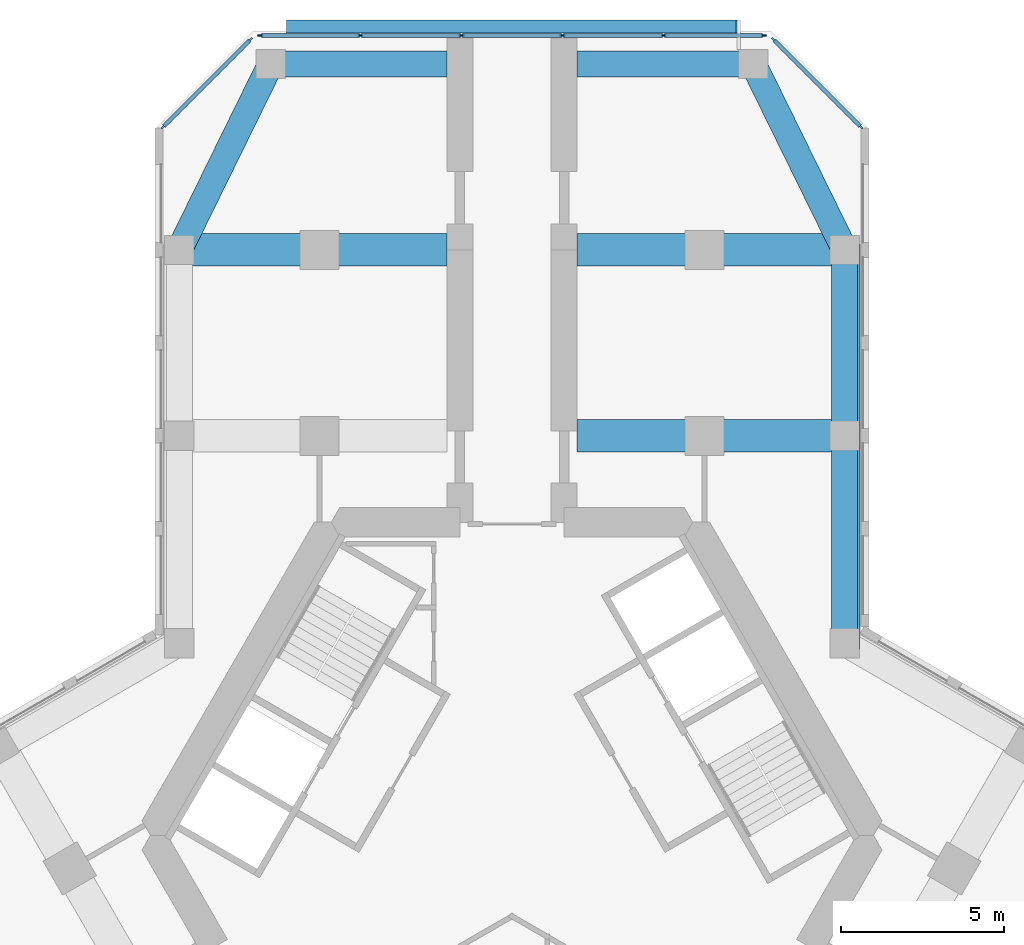
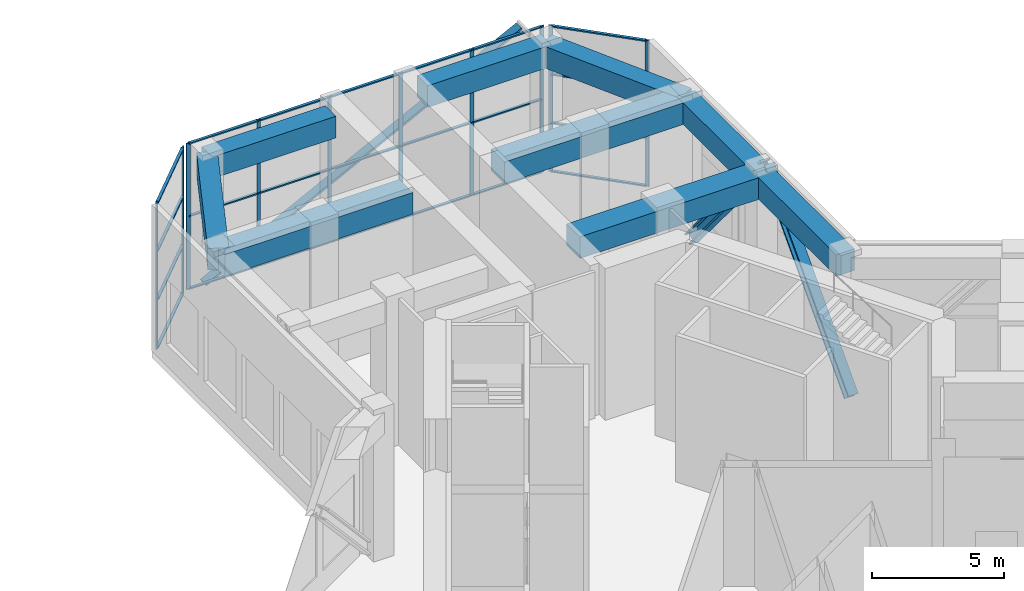
# One storey, part 7 of 15: 36 members, 9 beams, 3 elements without a shape of their own.
"""IFC4 building model written with IfcOpenShell, lengths in metres."""

from ifc_helpers import new_model, si_unit, direction, frame, origin, origin_2d, place, context, subcontext, project, spatial, rectangle, i_section, extrude, material, material_profile, profile_set, type_object, element, aggregate, save


model = new_model("IFC4")

# Units and contexts
model_context = context("Model", 3, precision=1e-05, world=origin(), true_north=direction((0.0, 1.0)))
body_context = subcontext(model_context, "Body", "Model", "MODEL_VIEW")
ifc_project = project(units=[si_unit("LENGTHUNIT", "METRE"), si_unit("AREAUNIT", "SQUARE_METRE"), si_unit("VOLUMEUNIT", "CUBIC_METRE"), si_unit("PLANEANGLEUNIT", "RADIAN"), si_unit("MASSUNIT", "GRAM", prefix="KILO")], contexts=[model_context])

# Site, building, storey
site_placement = place(None, origin())
site = spatial("IfcSite", under=ifc_project, at=site_placement, CompositionType="ELEMENT")
building_placement = place(site_placement, origin())
building = spatial("IfcBuilding", under=site, at=building_placement, Name="Kosmar Iwan School Tower", CompositionType="ELEMENT")
storey_placement = place(building_placement, frame((0.0, 0.0, 186.800048828125)))
storey = spatial("IfcBuildingStorey", under=building, at=storey_placement, Name="L47", CompositionType="ELEMENT", Elevation=186.800048828125)

# Members
ifc_material_1 = material(Name="Steel S355", Category="steel")
ifc_material_profile_1 = material_profile(ifc_material_1, i_section(OverallWidth=0.424072265625, OverallDepth=0.47412109375, WebThickness=0.047607421875, FlangeThickness=0.0771484375, FilletRadius=0.014892578125, at=origin_2d()), Name="HD 400x634")
ifc_profile_set_1 = profile_set([ifc_material_profile_1], Name="Steel S355")
member_type_1 = type_object("IfcMemberType", Name="Belt truss diagonal HD 400x634", PredefinedType="BRACE", material=ifc_profile_set_1)
member_1_placement = place(storey_placement, frame((10.4580078125, 5.888916015625, 0.0), z_axis=(0.0, 0.681901320807, 0.731444180154), x_axis=(-1.0, 0.0, 0.0)))
element("IfcMember", 1, at=member_1_placement, inside=storey, type_object=member_type_1, Name="Belt truss diagonal AR1", PredefinedType="BRACE", context=body_context, shape_type="SweptSolid", body=[
    extrude(i_section(OverallWidth=0.424072265625, OverallDepth=0.47412109375, WebThickness=0.047607421875, FlangeThickness=0.0771484375, FilletRadius=0.014892578125, at=origin_2d()), origin(), (0.0, 0.0, 1.0), 9.328369140625),
])
member_2_placement = place(storey_placement, frame((10.4580078125, 12.25, 6.8232421875), z_axis=(0.0, 0.641107671888, -0.767450945043), x_axis=(-1.0, 0.0, 0.0)))
element("IfcMember", 2, at=member_2_placement, inside=storey, type_object=member_type_1, Name="Belt truss diagonal AR2", PredefinedType="BRACE", context=body_context, shape_type="SweptSolid", body=[
    extrude(i_section(OverallWidth=0.424072265625, OverallDepth=0.47412109375, WebThickness=0.047607421875, FlangeThickness=0.0771484375, FilletRadius=0.014892578125, at=origin_2d()), origin(), (0.0, 0.0, 1.0), 8.890869140625),
])

# Beams
ifc_material_2 = material(Name="Concrete C50/60", Category="concrete")
ifc_material_profile_2 = material_profile(ifc_material_2, rectangle(XDim=0.800048828125, YDim=1.0, at=origin_2d()), Name="RC 800x1000 + HD 400x634")
ifc_profile_set_2 = profile_set([ifc_material_profile_2], Name="Concrete C50/60")
beam_type_1 = type_object("IfcBeamType", Name="Composite edge beam 800x1000 HD 400x634", PredefinedType="BEAM", material=ifc_profile_set_2)
beam_1_placement = place(storey_placement, frame((10.199951171875, 5.888916015625, 6.25), z_axis=(0.0, 1.0, 0.0), x_axis=(-1.0, 0.0, 0.0)))
element("IfcBeam", 3, at=beam_1_placement, inside=storey, type_object=beam_type_1, Name="Edge beam AR1", PredefinedType="BEAM", context=body_context, shape_type="SweptSolid", body=[
    extrude(rectangle(XDim=0.800048828125, YDim=1.0, at=origin_2d()), origin(), (0.0, 0.0, 1.0), 6.361083984375),
])
beam_2_placement = place(storey_placement, frame((10.199951171875, 12.25, 6.25), z_axis=(0.0, 1.0, 0.0), x_axis=(-1.0, 0.0, 0.0)))
element("IfcBeam", 4, at=beam_2_placement, inside=storey, type_object=beam_type_1, Name="Edge beam AR2", PredefinedType="BEAM", context=body_context, shape_type="SweptSolid", body=[
    extrude(rectangle(XDim=0.800048828125, YDim=1.0, at=origin_2d()), origin(), (0.0, 0.0, 1.0), 5.699951171875),
])
ifc_material_3 = material(Name="Concrete C50/60", Category="concrete")
ifc_material_profile_3 = material_profile(ifc_material_3, rectangle(XDim=1.0, YDim=1.0, at=origin_2d()), Name="RC 1000x1000 + HD 400x347")
ifc_profile_set_3 = profile_set([ifc_material_profile_3], Name="Concrete C50/60")
beam_type_2 = type_object("IfcBeamType", Name="Composite transverse beam 1000x1000 HD 400x347", PredefinedType="BEAM", material=ifc_profile_set_3)
for number, where, z_axis, x_axis, name in (
    (5, (-10.199951171875, 17.949951171875, 6.25), (1.0, 0.0, 0.0), (0.0, 1.0, 0.0), "Transverse beam AL2"),
    (6, (10.199951171875, 12.25, 6.25), (-1.0, 0.0, 0.0), (0.0, -1.0, 0.0), "Transverse beam AR1"),
    (7, (10.199951171875, 17.949951171875, 6.25), (-1.0, 0.0, 0.0), (0.0, -1.0, 0.0), "Transverse beam AR2"),
):
    element("IfcBeam", number, at=place(storey_placement, frame(where, z_axis=z_axis, x_axis=x_axis)), inside=storey, type_object=beam_type_2, Name=name, PredefinedType="BEAM", context=body_context, shape_type="SweptSolid", body=[
        extrude(rectangle(XDim=1.0, YDim=1.0, at=origin_2d()), origin(), (0.0, 0.0, 1.0), 8.199951171875),
    ])

# Member
ifc_material_4 = material(Name="Black anodised aluminium", Category="aluminium")
ifc_material_profile_4 = material_profile(ifc_material_4, rectangle(XDim=0.10009765625, YDim=0.39990234375, at=origin_2d()), Name="FIN 100x400")
ifc_profile_set_4 = profile_set([ifc_material_profile_4], Name="Black anodised aluminium")
member_type_2 = type_object("IfcMemberType", Name="Diagonal fin 100x400", PredefinedType="USERDEFINED", material=ifc_profile_set_4)
member_3_placement = place(storey_placement, frame((-6.898193359375, 24.800048828125, -0.150146484375), z_axis=(0.891779441227, 0.0, 0.452470361686), x_axis=(-0.452470361686, 0.0, 0.891779441227)))
element("IfcMember", 8, at=member_3_placement, inside=storey, type_object=member_type_2, Name="Diagonal fin L47-F08", ObjectType="FIN", PredefinedType="USERDEFINED", context=body_context, shape_type="SweptSolid", body=[
    extrude(rectangle(XDim=0.10009765625, YDim=0.39990234375, at=origin_2d()), origin(), (0.0, 0.0, 1.0), 15.470703125),
])

# Curtain wall, members
ifc_material_5 = material(Name="Dark glass in black aluminium frame", Category="aluminium")
curtain_wall_type_1 = type_object("IfcCurtainWallType", Name="Chamfer curtain wall dark glass", PredefinedType="USERDEFINED", material=ifc_material_5)
curtain_wall_1_placement = place(storey_placement, origin())
curtain_wall_1 = element("IfcCurtainWall", 9, at=curtain_wall_1_placement, inside=storey, type_object=curtain_wall_type_1, Name="Curtain wall L47-F07", ObjectType="FACETED CURTAIN WALL", PredefinedType="USERDEFINED")
ifc_material_6 = material(Name="Black anodised aluminium", Category="aluminium")
ifc_material_profile_5 = material_profile(ifc_material_6, rectangle(XDim=0.06005859375, YDim=0.159912109375, at=origin_2d()), Name="MULLION 60x160")
ifc_profile_set_5 = profile_set([ifc_material_profile_5], Name="Black anodised aluminium")
member_type_3 = type_object("IfcMemberType", Name="Mullion 60x160", PredefinedType="MULLION", material=ifc_profile_set_5)
member_4_placement = place(storey_placement, frame((10.69775390625, 21.7255859375, 0.0), z_axis=(0.0, 0.0, 1.0), x_axis=(-0.707106781187, -0.707106781187, 0.0)))
member_4 = element("IfcMember", 10, at=member_4_placement, type_object=member_type_3, Name="CW2 mullion 1", PredefinedType="MULLION", context=body_context, shape_type="SweptSolid", body=[
    extrude(rectangle(XDim=0.06005859375, YDim=0.159912109375, at=origin_2d()), origin(), (0.0, 0.0, 1.0), 6.75),
])
member_5_placement = place(storey_placement, frame((8.025390625, 24.397705078125, 0.0), z_axis=(0.0, 0.0, 1.0), x_axis=(-0.707106781187, -0.707106781187, 0.0)))
member_5 = element("IfcMember", 11, at=member_5_placement, type_object=member_type_3, Name="CW2 mullion 2", PredefinedType="MULLION", context=body_context, shape_type="SweptSolid", body=[
    extrude(rectangle(XDim=0.06005859375, YDim=0.159912109375, at=origin_2d()), origin(), (0.0, 0.0, 1.0), 6.75),
])

ifc_material_7 = material(Name="Black aluminium louvres and glass", Category="aluminium")
curtain_wall_type_2 = type_object("IfcCurtainWallType", Name="Plant floor louvred curtain wall", PredefinedType="USERDEFINED", material=ifc_material_7)
curtain_wall_2_placement = place(storey_placement, origin())
curtain_wall_2 = element("IfcCurtainWall", 12, at=curtain_wall_2_placement, inside=storey, type_object=curtain_wall_type_2, Name="Curtain wall L47-F08", ObjectType="LOUVRED CURTAIN WALL", PredefinedType="USERDEFINED")
member_6_placement = place(storey_placement, frame((7.71826171875, 24.52490234375, 0.0), z_axis=(0.0, 0.0, 1.0), x_axis=(0.0, -1.0, 0.0)))
member_6 = element("IfcMember", 13, at=member_6_placement, type_object=member_type_3, Name="CW4 mullion 1", PredefinedType="MULLION", context=body_context, shape_type="SweptSolid", body=[
    extrude(rectangle(XDim=0.06005859375, YDim=0.159912109375, at=origin_2d()), origin(), (0.0, 0.0, 1.0), 6.75),
])
member_7_placement = place(storey_placement, frame((4.64892578125, 24.52490234375, 0.0), z_axis=(0.0, 0.0, 1.0), x_axis=(0.0, -1.0, 0.0)))
member_7 = element("IfcMember", 14, at=member_7_placement, type_object=member_type_3, Name="CW4 mullion 2", PredefinedType="MULLION", context=body_context, shape_type="SweptSolid", body=[
    extrude(rectangle(XDim=0.06005859375, YDim=0.159912109375, at=origin_2d()), origin(), (0.0, 0.0, 1.0), 6.75),
])
member_8_placement = place(storey_placement, frame((1.549560546875, 24.52490234375, 0.0), z_axis=(0.0, 0.0, 1.0), x_axis=(0.0, -1.0, 0.0)))
member_8 = element("IfcMember", 15, at=member_8_placement, type_object=member_type_3, Name="CW4 mullion 3", PredefinedType="MULLION", context=body_context, shape_type="SweptSolid", body=[
    extrude(rectangle(XDim=0.06005859375, YDim=0.159912109375, at=origin_2d()), origin(), (0.0, 0.0, 1.0), 6.75),
])
member_9_placement = place(storey_placement, frame((-1.549560546875, 24.52490234375, 0.0), z_axis=(0.0, 0.0, 1.0), x_axis=(0.0, -1.0, 0.0)))
member_9 = element("IfcMember", 16, at=member_9_placement, type_object=member_type_3, Name="CW4 mullion 4", PredefinedType="MULLION", context=body_context, shape_type="SweptSolid", body=[
    extrude(rectangle(XDim=0.06005859375, YDim=0.159912109375, at=origin_2d()), origin(), (0.0, 0.0, 1.0), 6.75),
])
member_10_placement = place(storey_placement, frame((-4.64892578125, 24.52490234375, 0.0), z_axis=(0.0, 0.0, 1.0), x_axis=(0.0, -1.0, 0.0)))
member_10 = element("IfcMember", 17, at=member_10_placement, type_object=member_type_3, Name="CW4 mullion 5", PredefinedType="MULLION", context=body_context, shape_type="SweptSolid", body=[
    extrude(rectangle(XDim=0.06005859375, YDim=0.159912109375, at=origin_2d()), origin(), (0.0, 0.0, 1.0), 6.75),
])
member_11_placement = place(storey_placement, frame((-7.71826171875, 24.52490234375, 0.0), z_axis=(0.0, 0.0, 1.0), x_axis=(0.0, -1.0, 0.0)))
member_11 = element("IfcMember", 18, at=member_11_placement, type_object=member_type_3, Name="CW4 mullion 6", PredefinedType="MULLION", context=body_context, shape_type="SweptSolid", body=[
    extrude(rectangle(XDim=0.06005859375, YDim=0.159912109375, at=origin_2d()), origin(), (0.0, 0.0, 1.0), 6.75),
])

curtain_wall_3_placement = place(storey_placement, origin())
curtain_wall_3 = element("IfcCurtainWall", 19, at=curtain_wall_3_placement, inside=storey, type_object=curtain_wall_type_1, Name="Curtain wall L47-F09", ObjectType="FACETED CURTAIN WALL", PredefinedType="USERDEFINED")
member_12_placement = place(storey_placement, frame((-8.025390625, 24.397705078125, 0.0), z_axis=(0.0, 0.0, 1.0), x_axis=(0.707106781187, -0.707106781187, 0.0)))
member_12 = element("IfcMember", 20, at=member_12_placement, type_object=member_type_3, Name="CW2 mullion 1", PredefinedType="MULLION", context=body_context, shape_type="SweptSolid", body=[
    extrude(rectangle(XDim=0.06005859375, YDim=0.159912109375, at=origin_2d()), origin(), (0.0, 0.0, 1.0), 6.75),
])
member_13_placement = place(storey_placement, frame((-10.69775390625, 21.7255859375, 0.0), z_axis=(0.0, 0.0, 1.0), x_axis=(0.707106781187, -0.707106781187, 0.0)))
member_13 = element("IfcMember", 21, at=member_13_placement, type_object=member_type_3, Name="CW2 mullion 2", PredefinedType="MULLION", context=body_context, shape_type="SweptSolid", body=[
    extrude(rectangle(XDim=0.06005859375, YDim=0.159912109375, at=origin_2d()), origin(), (0.0, 0.0, 1.0), 6.75),
])

# Beams
ifc_material_8 = material(Name="Concrete C50/60", Category="concrete")
ifc_material_profile_6 = material_profile(ifc_material_8, rectangle(XDim=0.800048828125, YDim=1.0, at=origin_2d()), Name="RC 800x1000")
ifc_profile_set_6 = profile_set([ifc_material_profile_6], Name="Concrete C50/60")
beam_type_3 = type_object("IfcBeamType", Name="RC tip beam 800x1000", PredefinedType="BEAM", material=ifc_profile_set_6)
beam_3_placement = place(storey_placement, frame((-10.199951171875, 17.949951171875, 6.25), z_axis=(0.440913116462, 0.897549788999, 0.0), x_axis=(-0.897549788999, 0.440913116462, 0.0)))
element("IfcBeam", 22, at=beam_3_placement, inside=storey, type_object=beam_type_3, Name="Tip beam AL", PredefinedType="BEAM", context=body_context, shape_type="SweptSolid", body=[
    extrude(rectangle(XDim=0.800048828125, YDim=1.0, at=origin_2d()), origin(), (0.0, 0.0, 1.0), 6.3505859375),
])
beam_4_placement = place(storey_placement, frame((-7.39990234375, 23.64990234375, 6.25), z_axis=(1.0, 0.0, 0.0), x_axis=(0.0, 1.0, 0.0)))
element("IfcBeam", 23, at=beam_4_placement, inside=storey, type_object=beam_type_3, Name="Tip beam AL to corridor wall", PredefinedType="BEAM", context=body_context, shape_type="SweptSolid", body=[
    extrude(rectangle(XDim=0.800048828125, YDim=1.0, at=origin_2d()), origin(), (0.0, 0.0, 1.0), 5.39990234375),
])
beam_5_placement = place(storey_placement, frame((10.199951171875, 17.949951171875, 6.25), z_axis=(-0.440913116462, 0.897549788999, 0.0), x_axis=(-0.897549788999, -0.440913116462, 0.0)))
element("IfcBeam", 24, at=beam_5_placement, inside=storey, type_object=beam_type_3, Name="Tip beam AR", PredefinedType="BEAM", context=body_context, shape_type="SweptSolid", body=[
    extrude(rectangle(XDim=0.800048828125, YDim=1.0, at=origin_2d()), origin(), (0.0, 0.0, 1.0), 6.3505859375),
])
beam_6_placement = place(storey_placement, frame((7.39990234375, 23.64990234375, 6.25), z_axis=(-1.0, 0.0, 0.0), x_axis=(0.0, -1.0, 0.0)))
element("IfcBeam", 25, at=beam_6_placement, inside=storey, type_object=beam_type_3, Name="Tip beam AR to corridor wall", PredefinedType="BEAM", context=body_context, shape_type="SweptSolid", body=[
    extrude(rectangle(XDim=0.800048828125, YDim=1.0, at=origin_2d()), origin(), (0.0, 0.0, 1.0), 5.39990234375),
])

# Member
ifc_material_9 = material(Name="Black anodised aluminium", Category="aluminium")
ifc_material_profile_7 = material_profile(ifc_material_9, rectangle(XDim=0.1201171875, YDim=0.06005859375, at=origin_2d()), Name="TRANSOM 60x120")
ifc_profile_set_7 = profile_set([ifc_material_profile_7], Name="Black anodised aluminium")
member_type_4 = type_object("IfcMemberType", Name="Transom 60x120", PredefinedType="USERDEFINED", material=ifc_profile_set_7)
member_14_placement = place(storey_placement, frame((10.676513671875, 21.746826171875, 0.030029296875), z_axis=(-0.707139603466, 0.707073957383, 0.0), x_axis=(-0.707073957383, -0.707139603466, 0.0)))
member_14 = element("IfcMember", 26, at=member_14_placement, type_object=member_type_4, Name="CW2 transom 1.1", ObjectType="TRANSOM", PredefinedType="USERDEFINED", context=body_context, shape_type="SweptSolid", body=[
    extrude(rectangle(XDim=0.1201171875, YDim=0.06005859375, at=origin_2d()), origin(), (0.0, 0.0, 1.0), 3.718994140625),
])

member_15_placement = place(storey_placement, frame((10.676513671875, 21.746826171875, 2.25), z_axis=(-0.707139603466, 0.707073957383, 0.0), x_axis=(-0.707073957383, -0.707139603466, 0.0)))
member_15 = element("IfcMember", 27, at=member_15_placement, type_object=member_type_4, Name="CW2 transom 1.2", ObjectType="TRANSOM", PredefinedType="USERDEFINED", context=body_context, shape_type="SweptSolid", body=[
    extrude(rectangle(XDim=0.1201171875, YDim=0.06005859375, at=origin_2d()), origin(), (0.0, 0.0, 1.0), 3.718994140625),
])

member_16_placement = place(storey_placement, frame((10.676513671875, 21.746826171875, 4.5), z_axis=(-0.707139603466, 0.707073957383, 0.0), x_axis=(-0.707073957383, -0.707139603466, 0.0)))
member_16 = element("IfcMember", 28, at=member_16_placement, type_object=member_type_4, Name="CW2 transom 1.3", ObjectType="TRANSOM", PredefinedType="USERDEFINED", context=body_context, shape_type="SweptSolid", body=[
    extrude(rectangle(XDim=0.1201171875, YDim=0.06005859375, at=origin_2d()), origin(), (0.0, 0.0, 1.0), 3.718994140625),
])

member_17_placement = place(storey_placement, frame((10.676513671875, 21.746826171875, 6.719970703125), z_axis=(-0.707139603466, 0.707073957383, 0.0), x_axis=(-0.707073957383, -0.707139603466, 0.0)))
member_17 = element("IfcMember", 29, at=member_17_placement, type_object=member_type_4, Name="CW2 transom 1.4", ObjectType="TRANSOM", PredefinedType="USERDEFINED", context=body_context, shape_type="SweptSolid", body=[
    extrude(rectangle(XDim=0.1201171875, YDim=0.06005859375, at=origin_2d()), origin(), (0.0, 0.0, 1.0), 3.718994140625),
])

aggregate(curtain_wall_1, [member_4, member_5, member_14, member_15, member_16, member_17])

member_18_placement = place(storey_placement, frame((7.688232421875, 24.52490234375, 0.030029296875), z_axis=(-1.0, 0.0, 0.0), x_axis=(0.0, -1.0, 0.0)))
member_18 = element("IfcMember", 30, at=member_18_placement, type_object=member_type_4, Name="CW4 transom 1.1", ObjectType="TRANSOM", PredefinedType="USERDEFINED", context=body_context, shape_type="SweptSolid", body=[
    extrude(rectangle(XDim=0.1201171875, YDim=0.06005859375, at=origin_2d()), origin(), (0.0, 0.0, 1.0), 3.00927734375),
])

member_19_placement = place(storey_placement, frame((7.688232421875, 24.52490234375, 3.375), z_axis=(-1.0, 0.0, 0.0), x_axis=(0.0, -1.0, 0.0)))
member_19 = element("IfcMember", 31, at=member_19_placement, type_object=member_type_4, Name="CW4 transom 1.2", ObjectType="TRANSOM", PredefinedType="USERDEFINED", context=body_context, shape_type="SweptSolid", body=[
    extrude(rectangle(XDim=0.1201171875, YDim=0.06005859375, at=origin_2d()), origin(), (0.0, 0.0, 1.0), 3.00927734375),
])

member_20_placement = place(storey_placement, frame((7.688232421875, 24.52490234375, 6.719970703125), z_axis=(-1.0, 0.0, 0.0), x_axis=(0.0, -1.0, 0.0)))
member_20 = element("IfcMember", 32, at=member_20_placement, type_object=member_type_4, Name="CW4 transom 1.3", ObjectType="TRANSOM", PredefinedType="USERDEFINED", context=body_context, shape_type="SweptSolid", body=[
    extrude(rectangle(XDim=0.1201171875, YDim=0.06005859375, at=origin_2d()), origin(), (0.0, 0.0, 1.0), 3.00927734375),
])

member_21_placement = place(storey_placement, frame((4.618896484375, 24.52490234375, 0.030029296875), z_axis=(-1.0, 0.0, 0.0), x_axis=(0.0, -1.0, 0.0)))
member_21 = element("IfcMember", 33, at=member_21_placement, type_object=member_type_4, Name="CW4 transom 2.1", ObjectType="TRANSOM", PredefinedType="USERDEFINED", context=body_context, shape_type="SweptSolid", body=[
    extrude(rectangle(XDim=0.1201171875, YDim=0.06005859375, at=origin_2d()), origin(), (0.0, 0.0, 1.0), 3.039306640625),
])

member_22_placement = place(storey_placement, frame((4.618896484375, 24.52490234375, 3.375), z_axis=(-1.0, 0.0, 0.0), x_axis=(0.0, -1.0, 0.0)))
member_22 = element("IfcMember", 34, at=member_22_placement, type_object=member_type_4, Name="CW4 transom 2.2", ObjectType="TRANSOM", PredefinedType="USERDEFINED", context=body_context, shape_type="SweptSolid", body=[
    extrude(rectangle(XDim=0.1201171875, YDim=0.06005859375, at=origin_2d()), origin(), (0.0, 0.0, 1.0), 3.039306640625),
])

member_23_placement = place(storey_placement, frame((4.618896484375, 24.52490234375, 6.719970703125), z_axis=(-1.0, 0.0, 0.0), x_axis=(0.0, -1.0, 0.0)))
member_23 = element("IfcMember", 35, at=member_23_placement, type_object=member_type_4, Name="CW4 transom 2.3", ObjectType="TRANSOM", PredefinedType="USERDEFINED", context=body_context, shape_type="SweptSolid", body=[
    extrude(rectangle(XDim=0.1201171875, YDim=0.06005859375, at=origin_2d()), origin(), (0.0, 0.0, 1.0), 3.039306640625),
])

member_24_placement = place(storey_placement, frame((1.51953125, 24.52490234375, 0.030029296875), z_axis=(-1.0, 0.0, 0.0), x_axis=(0.0, -1.0, 0.0)))
member_24 = element("IfcMember", 36, at=member_24_placement, type_object=member_type_4, Name="CW4 transom 3.1", ObjectType="TRANSOM", PredefinedType="USERDEFINED", context=body_context, shape_type="SweptSolid", body=[
    extrude(rectangle(XDim=0.1201171875, YDim=0.06005859375, at=origin_2d()), origin(), (0.0, 0.0, 1.0), 3.0390625),
])

member_25_placement = place(storey_placement, frame((1.51953125, 24.52490234375, 3.375), z_axis=(-1.0, 0.0, 0.0), x_axis=(0.0, -1.0, 0.0)))
member_25 = element("IfcMember", 37, at=member_25_placement, type_object=member_type_4, Name="CW4 transom 3.2", ObjectType="TRANSOM", PredefinedType="USERDEFINED", context=body_context, shape_type="SweptSolid", body=[
    extrude(rectangle(XDim=0.1201171875, YDim=0.06005859375, at=origin_2d()), origin(), (0.0, 0.0, 1.0), 3.0390625),
])

member_26_placement = place(storey_placement, frame((1.51953125, 24.52490234375, 6.719970703125), z_axis=(-1.0, 0.0, 0.0), x_axis=(0.0, -1.0, 0.0)))
member_26 = element("IfcMember", 38, at=member_26_placement, type_object=member_type_4, Name="CW4 transom 3.3", ObjectType="TRANSOM", PredefinedType="USERDEFINED", context=body_context, shape_type="SweptSolid", body=[
    extrude(rectangle(XDim=0.1201171875, YDim=0.06005859375, at=origin_2d()), origin(), (0.0, 0.0, 1.0), 3.0390625),
])

member_27_placement = place(storey_placement, frame((-1.57958984375, 24.52490234375, 0.030029296875), z_axis=(-1.0, 0.0, 0.0), x_axis=(0.0, -1.0, 0.0)))
member_27 = element("IfcMember", 39, at=member_27_placement, type_object=member_type_4, Name="CW4 transom 4.1", ObjectType="TRANSOM", PredefinedType="USERDEFINED", context=body_context, shape_type="SweptSolid", body=[
    extrude(rectangle(XDim=0.1201171875, YDim=0.06005859375, at=origin_2d()), origin(), (0.0, 0.0, 1.0), 3.039306640625),
])

member_28_placement = place(storey_placement, frame((-1.57958984375, 24.52490234375, 3.375), z_axis=(-1.0, 0.0, 0.0), x_axis=(0.0, -1.0, 0.0)))
member_28 = element("IfcMember", 40, at=member_28_placement, type_object=member_type_4, Name="CW4 transom 4.2", ObjectType="TRANSOM", PredefinedType="USERDEFINED", context=body_context, shape_type="SweptSolid", body=[
    extrude(rectangle(XDim=0.1201171875, YDim=0.06005859375, at=origin_2d()), origin(), (0.0, 0.0, 1.0), 3.039306640625),
])

member_29_placement = place(storey_placement, frame((-1.57958984375, 24.52490234375, 6.719970703125), z_axis=(-1.0, 0.0, 0.0), x_axis=(0.0, -1.0, 0.0)))
member_29 = element("IfcMember", 41, at=member_29_placement, type_object=member_type_4, Name="CW4 transom 4.3", ObjectType="TRANSOM", PredefinedType="USERDEFINED", context=body_context, shape_type="SweptSolid", body=[
    extrude(rectangle(XDim=0.1201171875, YDim=0.06005859375, at=origin_2d()), origin(), (0.0, 0.0, 1.0), 3.039306640625),
])

member_30_placement = place(storey_placement, frame((-4.678955078125, 24.52490234375, 0.030029296875), z_axis=(-1.0, 0.0, 0.0), x_axis=(0.0, -1.0, 0.0)))
member_30 = element("IfcMember", 42, at=member_30_placement, type_object=member_type_4, Name="CW4 transom 5.1", ObjectType="TRANSOM", PredefinedType="USERDEFINED", context=body_context, shape_type="SweptSolid", body=[
    extrude(rectangle(XDim=0.1201171875, YDim=0.06005859375, at=origin_2d()), origin(), (0.0, 0.0, 1.0), 3.00927734375),
])

member_31_placement = place(storey_placement, frame((-4.678955078125, 24.52490234375, 3.375), z_axis=(-1.0, 0.0, 0.0), x_axis=(0.0, -1.0, 0.0)))
member_31 = element("IfcMember", 43, at=member_31_placement, type_object=member_type_4, Name="CW4 transom 5.2", ObjectType="TRANSOM", PredefinedType="USERDEFINED", context=body_context, shape_type="SweptSolid", body=[
    extrude(rectangle(XDim=0.1201171875, YDim=0.06005859375, at=origin_2d()), origin(), (0.0, 0.0, 1.0), 3.00927734375),
])

member_32_placement = place(storey_placement, frame((-4.678955078125, 24.52490234375, 6.719970703125), z_axis=(-1.0, 0.0, 0.0), x_axis=(0.0, -1.0, 0.0)))
member_32 = element("IfcMember", 44, at=member_32_placement, type_object=member_type_4, Name="CW4 transom 5.3", ObjectType="TRANSOM", PredefinedType="USERDEFINED", context=body_context, shape_type="SweptSolid", body=[
    extrude(rectangle(XDim=0.1201171875, YDim=0.06005859375, at=origin_2d()), origin(), (0.0, 0.0, 1.0), 3.00927734375),
])

aggregate(curtain_wall_2, [member_6, member_7, member_8, member_9, member_10, member_11, member_18, member_19, member_20, member_21, member_22, member_23, member_24, member_25, member_26, member_27, member_28, member_29, member_30, member_31, member_32])

member_33_placement = place(storey_placement, frame((-8.046630859375, 24.37646484375, 0.030029296875), z_axis=(-0.707139603466, -0.707073957383, 0.0), x_axis=(0.707073957383, -0.707139603466, 0.0)))
member_33 = element("IfcMember", 45, at=member_33_placement, type_object=member_type_4, Name="CW2 transom 1.1", ObjectType="TRANSOM", PredefinedType="USERDEFINED", context=body_context, shape_type="SweptSolid", body=[
    extrude(rectangle(XDim=0.1201171875, YDim=0.06005859375, at=origin_2d()), origin(), (0.0, 0.0, 1.0), 3.718994140625),
])

member_34_placement = place(storey_placement, frame((-8.046630859375, 24.37646484375, 2.25), z_axis=(-0.707139603466, -0.707073957383, 0.0), x_axis=(0.707073957383, -0.707139603466, 0.0)))
member_34 = element("IfcMember", 46, at=member_34_placement, type_object=member_type_4, Name="CW2 transom 1.2", ObjectType="TRANSOM", PredefinedType="USERDEFINED", context=body_context, shape_type="SweptSolid", body=[
    extrude(rectangle(XDim=0.1201171875, YDim=0.06005859375, at=origin_2d()), origin(), (0.0, 0.0, 1.0), 3.718994140625),
])

member_35_placement = place(storey_placement, frame((-8.046630859375, 24.37646484375, 4.5), z_axis=(-0.707139603466, -0.707073957383, 0.0), x_axis=(0.707073957383, -0.707139603466, 0.0)))
member_35 = element("IfcMember", 47, at=member_35_placement, type_object=member_type_4, Name="CW2 transom 1.3", ObjectType="TRANSOM", PredefinedType="USERDEFINED", context=body_context, shape_type="SweptSolid", body=[
    extrude(rectangle(XDim=0.1201171875, YDim=0.06005859375, at=origin_2d()), origin(), (0.0, 0.0, 1.0), 3.718994140625),
])

member_36_placement = place(storey_placement, frame((-8.046630859375, 24.37646484375, 6.719970703125), z_axis=(-0.707139603466, -0.707073957383, 0.0), x_axis=(0.707073957383, -0.707139603466, 0.0)))
member_36 = element("IfcMember", 48, at=member_36_placement, type_object=member_type_4, Name="CW2 transom 1.4", ObjectType="TRANSOM", PredefinedType="USERDEFINED", context=body_context, shape_type="SweptSolid", body=[
    extrude(rectangle(XDim=0.1201171875, YDim=0.06005859375, at=origin_2d()), origin(), (0.0, 0.0, 1.0), 3.718994140625),
])

aggregate(curtain_wall_3, [member_12, member_13, member_33, member_34, member_35, member_36])

save(model, "model.ifc")
